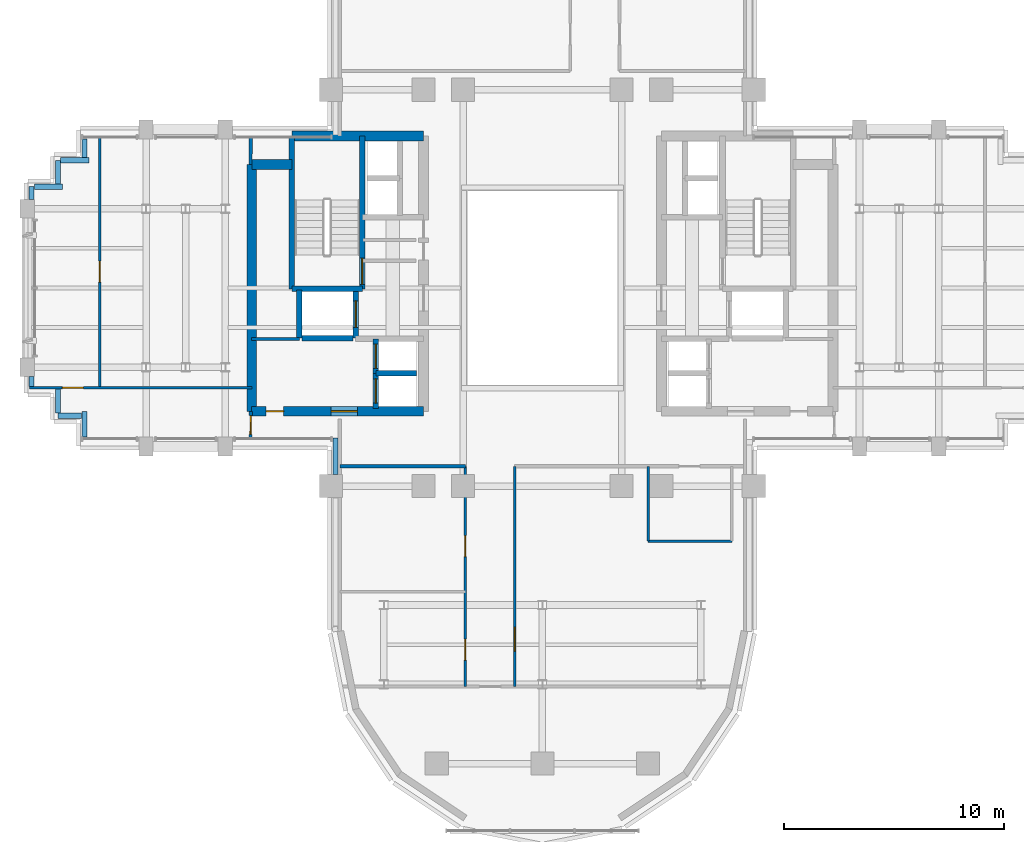
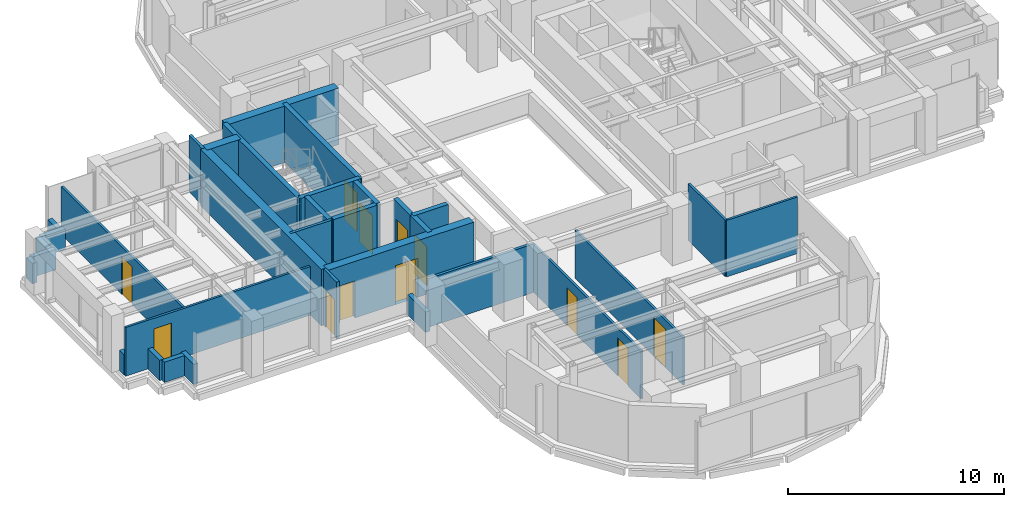
# One storey, part 8 of 14: 33 walls, 12 doors, 12 openings.
"""IFC4 building model written with IfcOpenShell, lengths in metres."""

from ifc_helpers import new_model, si_unit, direction, frame, frame_2d, origin, place, context, subcontext, project, spatial, rectangle, extrude, source, transform, mapped, material, layer, layer_set, type_object, element, fill, save


model = new_model("IFC4")

# Units and contexts
model_context = context("Model", 3, precision=1e-05, world=origin(), true_north=direction((0.0, 1.0)))
body_context = subcontext(model_context, "Body", "Model", "MODEL_VIEW")
ifc_project = project(units=[si_unit("LENGTHUNIT", "METRE"), si_unit("AREAUNIT", "SQUARE_METRE"), si_unit("VOLUMEUNIT", "CUBIC_METRE"), si_unit("PLANEANGLEUNIT", "RADIAN"), si_unit("MASSUNIT", "GRAM", prefix="KILO")], contexts=[model_context])

# Site, building, storey
site_placement = place(None, origin())
site = spatial("IfcSite", under=ifc_project, at=site_placement, CompositionType="ELEMENT")
building_placement = place(site_placement, origin())
building = spatial("IfcBuilding", under=site, at=building_placement, Name="Keilestroom Media Tower", CompositionType="ELEMENT")
storey_placement = place(building_placement, frame((0.0, 0.0, 114.199951171875)))
storey = spatial("IfcBuildingStorey", under=building, at=storey_placement, Name="L30", CompositionType="ELEMENT", Elevation=114.199951171875)

# Wall, openings, doors
ifc_material_1 = material(Name="Gypsum Plasterboard & Steel Stud", Category="steel")
ifc_layer_1 = layer(ifc_material_1, 0.1201171875)
ifc_layer_set_1 = layer_set([ifc_layer_1], Name="Gypsum Plasterboard & Steel Stud")
wall_type_1 = type_object("IfcWallType", Name="Interior-Partition-Wall-120", PredefinedType="PARTITIONING", material=ifc_layer_set_1)
wall_1_placement = place(storey_placement, frame((-3.5, -18.10009765625, 0.0), z_axis=(0.0, 0.0, 1.0), x_axis=(0.0, 1.0, 0.0)))
wall_1 = element("IfcWall", 1, at=wall_1_placement, inside=storey, type_object=wall_type_1, Name="L30 Interior Wall WP-L30-SL-SPW", PredefinedType="PARTITIONING", context=body_context, shape_type="SweptSolid", body=[
    extrude(rectangle(XDim=10.0, YDim=0.1201171875, at=frame_2d((5.0, 0.0))), origin(), (0.0, 0.0, 1.0), 2.699951171875),
])
opening_1_placement = place(wall_1_placement, frame((5.89990234375, 0.0, 0.0)))
opening_1 = element("IfcOpeningElement", 2, at=opening_1_placement, cuts=wall_1, Name="Opening DI-03", PredefinedType="OPENING", context=body_context, shape_type="SweptSolid", body=[
    extrude(rectangle(XDim=0.949951171875, YDim=2.14990234375, at=frame_2d((0.47509765625, 1.074951171875))), frame((0.0, 0.070068359375, 0.0), z_axis=(0.0, -1.0, 0.0), x_axis=(1.0, 0.0, 0.0)), (0.0, 0.0, 1.0), 0.14013671875),
])
opening_2_placement = place(wall_1_placement, frame((1.199951171875, 0.0, 0.0)))
opening_2 = element("IfcOpeningElement", 3, at=opening_2_placement, cuts=wall_1, Name="Opening DI-03", PredefinedType="OPENING", context=body_context, shape_type="SweptSolid", body=[
    extrude(rectangle(XDim=0.949951171875, YDim=2.14990234375, at=frame_2d((0.47509765625, 1.074951171875))), frame((0.0, 0.070068359375, 0.0), z_axis=(0.0, -1.0, 0.0), x_axis=(1.0, 0.0, 0.0)), (0.0, 0.0, 1.0), 0.14013671875),
])
ifc_material_2 = material(Name="Lacquered European Oak Leaf", Category="wood")
door_type_1 = type_object("IfcDoorType", Name="Interior-Room-And-Suite-Door-DI-03", OperationType="NOTDEFINED", PredefinedType="DOOR", material=ifc_material_2)
shared_shape_1 = source(origin(), body_context, "Body", "SweptSolid", [
    extrude(rectangle(XDim=0.949951171875, YDim=2.14990234375, at=frame_2d((0.47509765625, 1.074951171875))), frame((0.0, 0.02490234375, 0.0), z_axis=(0.0, -1.0, 0.0), x_axis=(1.0, 0.0, 0.0)), (0.0, 0.0, 1.0), 0.050048828125),
])
door_1_placement = place(opening_1_placement, origin())
door_1 = element("IfcDoor", 4, at=door_1_placement, inside=storey, type_object=door_type_1, Name="L30 Interior Door DI-L30-DSL-W1", OperationType="SINGLE_SWING_LEFT", OverallHeight=2.14990234375, OverallWidth=0.949951171875, PredefinedType="DOOR", context=body_context, shape_type="MappedRepresentation", body=[
    mapped(shared_shape_1, transform((0.0, 0.0, 0.0), x_axis=(1.0, 0.0, 0.0), y_axis=(0.0, 1.0, 0.0), z_axis=(0.0, 0.0, 1.0), scale=1.0)),
])
fill(opening_1, door_1)
door_2_placement = place(opening_2_placement, origin())
door_2 = element("IfcDoor", 5, at=door_2_placement, inside=storey, type_object=door_type_1, Name="L30 Interior Door DI-L30-DSL-W2", OperationType="SINGLE_SWING_RIGHT", OverallHeight=2.14990234375, OverallWidth=0.949951171875, PredefinedType="DOOR", context=body_context, shape_type="MappedRepresentation", body=[
    mapped(shared_shape_1, transform((0.0, 0.0, 0.0), x_axis=(1.0, 0.0, 0.0), y_axis=(0.0, 1.0, 0.0), z_axis=(0.0, 0.0, 1.0), scale=1.0)),
])
fill(opening_2, door_2)

# Wall, opening, door
wall_2_placement = place(storey_placement, frame((-1.260009765625, -18.10009765625, 0.0), z_axis=(0.0, 0.0, 1.0), x_axis=(0.0, 1.0, 0.0)))
wall_2 = element("IfcWall", 6, at=wall_2_placement, inside=storey, type_object=wall_type_1, Name="L30 Interior Wall WP-L30-SL-SPE", PredefinedType="PARTITIONING", context=body_context, shape_type="SweptSolid", body=[
    extrude(rectangle(XDim=10.0, YDim=0.1201171875, at=frame_2d((5.0, 0.0))), origin(), (0.0, 0.0, 1.0), 2.699951171875),
])
opening_3_placement = place(wall_2_placement, frame((1.60009765625, 0.0, 0.0)))
opening_3 = element("IfcOpeningElement", 7, at=opening_3_placement, cuts=wall_2, Name="Opening DI-04", PredefinedType="OPENING", context=body_context, shape_type="SweptSolid", body=[
    extrude(rectangle(XDim=1.10009765625, YDim=2.199951171875, at=frame_2d((0.550048828125, 1.10009765625))), frame((0.0, 0.070068359375, 0.0), z_axis=(0.0, -1.0, 0.0), x_axis=(1.0, 0.0, 0.0)), (0.0, 0.0, 1.0), 0.14013671875),
])
ifc_material_3 = material(Name="Acoustic Glazed Aluminium Leaf", Category="aluminium")
door_type_2 = type_object("IfcDoorType", Name="Interior-Room-And-Suite-Door-DI-04", OperationType="NOTDEFINED", PredefinedType="DOOR", material=ifc_material_3)
shared_shape_2 = source(origin(), body_context, "Body", "SweptSolid", [
    extrude(rectangle(XDim=1.10009765625, YDim=2.199951171875, at=frame_2d((0.550048828125, 1.10009765625))), frame((0.0, 0.02490234375, 0.0), z_axis=(0.0, -1.0, 0.0), x_axis=(1.0, 0.0, 0.0)), (0.0, 0.0, 1.0), 0.050048828125),
])
door_3_placement = place(opening_3_placement, origin())
door_3 = element("IfcDoor", 8, at=door_3_placement, inside=storey, type_object=door_type_2, Name="L30 Interior Door DI-L30-DSL-E1", OperationType="SINGLE_SWING_RIGHT", OverallHeight=2.199951171875, OverallWidth=1.10009765625, PredefinedType="DOOR", context=body_context, shape_type="MappedRepresentation", body=[
    mapped(shared_shape_2, transform((0.0, 0.0, 0.0), x_axis=(1.0, 0.0, 0.0), y_axis=(0.0, 1.0, 0.0), z_axis=(0.0, 0.0, 1.0), scale=1.0)),
])
fill(opening_3, door_3)

# Walls
wall_3_placement = place(storey_placement, frame((4.800048828125, -11.5, 0.0), z_axis=(0.0, 0.0, 1.0), x_axis=(1.0, 0.0, 0.0)))
element("IfcWall", 9, at=wall_3_placement, inside=storey, type_object=wall_type_1, Name="L30 Interior Wall WP-L30-SL-WC-S", PredefinedType="PARTITIONING", context=body_context, shape_type="SweptSolid", body=[
    extrude(rectangle(XDim=3.800048828125, YDim=0.1201171875, at=frame_2d((1.89990234375, 0.0))), origin(), (0.0, 0.0, 1.0), 3.199951171875),
])
wall_4_placement = place(storey_placement, frame((4.800048828125, -11.5, 0.0), z_axis=(0.0, 0.0, 1.0), x_axis=(0.0, 1.0, 0.0)))
element("IfcWall", 10, at=wall_4_placement, inside=storey, type_object=wall_type_1, Name="L30 Interior Wall WP-L30-SL-WC-W", PredefinedType="PARTITIONING", context=body_context, shape_type="SweptSolid", body=[
    extrude(rectangle(XDim=3.39990234375, YDim=0.1201171875, at=frame_2d((1.699951171875, 0.0))), origin(), (0.0, 0.0, 1.0), 3.199951171875),
])

# Wall, opening, door
wall_5_placement = place(storey_placement, frame((-23.300048828125, -4.530029296875, 0.0), z_axis=(0.0, 0.0, 1.0), x_axis=(1.0, 0.0, 0.0)))
wall_5 = element("IfcWall", 11, at=wall_5_placement, inside=storey, type_object=wall_type_1, Name="L30 Interior Wall WP-L30-WA-CN", PredefinedType="PARTITIONING", context=body_context, shape_type="SweptSolid", body=[
    extrude(rectangle(XDim=10.10009765625, YDim=0.1201171875, at=frame_2d((5.050048828125, 0.0))), origin(), (0.0, 0.0, 1.0), 2.75),
])
opening_4_placement = place(wall_5_placement, frame((1.5, 0.0, 0.0)))
opening_4 = element("IfcOpeningElement", 12, at=opening_4_placement, cuts=wall_5, Name="Opening DI-03", PredefinedType="OPENING", context=body_context, shape_type="SweptSolid", body=[
    extrude(rectangle(XDim=0.949951171875, YDim=2.14990234375, at=frame_2d((0.47509765625, 1.074951171875))), frame((0.0, 0.070068359375, 0.0), z_axis=(0.0, -1.0, 0.0), x_axis=(1.0, 0.0, 0.0)), (0.0, 0.0, 1.0), 0.14013671875),
])
door_4_placement = place(opening_4_placement, origin())
door_4 = element("IfcDoor", 13, at=door_4_placement, inside=storey, type_object=door_type_1, Name="L30 Interior Door DI-L30-DWA-RN1", OperationType="SINGLE_SWING_LEFT", OverallHeight=2.14990234375, OverallWidth=0.949951171875, PredefinedType="DOOR", context=body_context, shape_type="MappedRepresentation", body=[
    mapped(shared_shape_1, transform((0.0, 0.0, 0.0), x_axis=(1.0, 0.0, 0.0), y_axis=(0.0, 1.0, 0.0), z_axis=(0.0, 0.0, 1.0), scale=1.0)),
])
fill(opening_4, door_4)

wall_6_placement = place(storey_placement, frame((-20.10009765625, -4.530029296875, 0.0), z_axis=(0.0, 0.0, 1.0), x_axis=(0.0, 1.0, 0.0)))
wall_6 = element("IfcWall", 14, at=wall_6_placement, inside=storey, type_object=wall_type_1, Name="L30 Interior Wall WP-L30-WA-VM", PredefinedType="PARTITIONING", context=body_context, shape_type="SweptSolid", body=[
    extrude(rectangle(XDim=11.380126953125, YDim=0.1201171875, at=frame_2d((5.68994140625, 0.0))), origin(), (0.0, 0.0, 1.0), 2.699951171875),
])
opening_5_placement = place(wall_6_placement, frame((4.800048828125, 0.0, 0.0)))
opening_5 = element("IfcOpeningElement", 15, at=opening_5_placement, cuts=wall_6, Name="Opening DI-03", PredefinedType="OPENING", context=body_context, shape_type="SweptSolid", body=[
    extrude(rectangle(XDim=0.949951171875, YDim=2.14990234375, at=frame_2d((0.47509765625, 1.074951171875))), frame((0.0, 0.070068359375, 0.0), z_axis=(0.0, -1.0, 0.0), x_axis=(1.0, 0.0, 0.0)), (0.0, 0.0, 1.0), 0.14013671875),
])
door_5_placement = place(opening_5_placement, origin())
door_5 = element("IfcDoor", 16, at=door_5_placement, inside=storey, type_object=door_type_1, Name="L30 Interior Door DI-L30-DWA-RN2", OperationType="SINGLE_SWING_RIGHT", OverallHeight=2.14990234375, OverallWidth=0.949951171875, PredefinedType="DOOR", context=body_context, shape_type="MappedRepresentation", body=[
    mapped(shared_shape_1, transform((0.0, 0.0, 0.0), x_axis=(1.0, 0.0, 0.0), y_axis=(0.0, 1.0, 0.0), z_axis=(0.0, 0.0, 1.0), scale=1.0)),
])
fill(opening_5, door_5)

# Walls
ifc_layer_2 = layer(ifc_material_1, 0.14990234375)
ifc_layer_set_2 = layer_set([ifc_layer_2], Name="Gypsum Plasterboard & Steel Stud")
wall_type_2 = type_object("IfcWallType", Name="Interior-Partition-Wall-150", PredefinedType="PARTITIONING", material=ifc_layer_set_2)
wall_7_placement = place(storey_placement, frame((-13.199951171875, -2.320068359375, 0.0), z_axis=(0.0, 0.0, 1.0), x_axis=(1.0, 0.0, 0.0)))
element("IfcWall", 17, at=wall_7_placement, inside=storey, type_object=wall_type_2, Name="L30 Interior Wall WP-L30-RECLW-N", PredefinedType="PARTITIONING", context=body_context, shape_type="SweptSolid", body=[
    extrude(rectangle(XDim=2.179931640625, YDim=0.14990234375, at=frame_2d((1.08984375, 0.0))), origin(), (0.0, 0.0, 1.0), 3.199951171875),
])
wall_8_placement = place(storey_placement, frame((-9.199951171875, -8.10009765625, 0.0), z_axis=(0.0, 0.0, 1.0), x_axis=(1.0, 0.0, 0.0)))
element("IfcWall", 18, at=wall_8_placement, inside=storey, type_object=wall_type_2, Name="L30 Interior Wall WP-L30-SL-BASE-W", PredefinedType="PARTITIONING", context=body_context, shape_type="SweptSolid", body=[
    extrude(rectangle(XDim=5.699951171875, YDim=0.14990234375, at=frame_2d((2.85009765625, 0.0))), origin(), (0.0, 0.0, 1.0), 2.75),
])
wall_9_placement = place(storey_placement, frame((-13.260009765625, 5.60009765625, 0.0), z_axis=(0.0, 0.0, 1.0), x_axis=(0.016013571389, 0.999871774545, 0.0)))
element("IfcWall", 19, at=wall_9_placement, inside=storey, type_object=wall_type_2, Name="L30 Interior Wall WP-L30-WA-ENTN", PredefinedType="PARTITIONING", context=body_context, shape_type="SweptSolid", body=[
    extrude(rectangle(XDim=1.250244140625, YDim=0.14990234375, at=frame_2d((0.625, 0.0))), origin(), (0.0, 0.0, 1.0), 3.199951171875),
])

# Wall, opening, door
wall_10_placement = place(storey_placement, frame((-13.260009765625, -6.85009765625, 0.0), z_axis=(0.0, 0.0, 1.0), x_axis=(0.016013571389, 0.999871774545, 0.0)))
wall_10 = element("IfcWall", 20, at=wall_10_placement, inside=storey, type_object=wall_type_2, Name="L30 Interior Wall WP-L30-WA-ENTS", PredefinedType="PARTITIONING", context=body_context, shape_type="SweptSolid", body=[
    extrude(rectangle(XDim=1.250244140625, YDim=0.14990234375, at=frame_2d((0.625, 0.0))), origin(), (0.0, 0.0, 1.0), 3.199951171875),
])
opening_6_placement = place(wall_10_placement, frame((0.199951171875, 0.0, 0.0)))
opening_6 = element("IfcOpeningElement", 21, at=opening_6_placement, cuts=wall_10, Name="Opening DI-05", PredefinedType="OPENING", context=body_context, shape_type="SweptSolid", body=[
    extrude(rectangle(XDim=0.85009765625, YDim=2.10009765625, at=frame_2d((0.425048828125, 1.050048828125))), frame((0.0, 0.0849609375, 0.0), z_axis=(0.0, -1.0, 0.0), x_axis=(1.0, 0.0, 0.0)), (0.0, 0.0, 1.0), 0.169921875),
])
ifc_material_4 = material(Name="Moisture-Resistant Oak Leaf", Category="wood")
door_type_3 = type_object("IfcDoorType", Name="Interior-En-Suite-And-Cupboard-Door-DI-05", OperationType="NOTDEFINED", PredefinedType="DOOR", material=ifc_material_4)
shared_shape_3 = source(origin(), body_context, "Body", "SweptSolid", [
    extrude(rectangle(XDim=0.85009765625, YDim=2.10009765625, at=frame_2d((0.425048828125, 1.050048828125))), frame((0.0, 0.02490234375, 0.0), z_axis=(0.0, -1.0, 0.0), x_axis=(1.0, 0.0, 0.0)), (0.0, 0.0, 1.0), 0.050048828125),
])
door_6_placement = place(opening_6_placement, origin())
door_6 = element("IfcDoor", 22, at=door_6_placement, inside=storey, type_object=door_type_3, Name="L30 Interior Door DI-L30-DWA-ENTS", OperationType="SINGLE_SWING_LEFT", OverallHeight=2.10009765625, OverallWidth=0.85009765625, PredefinedType="DOOR", context=body_context, shape_type="MappedRepresentation", body=[
    mapped(shared_shape_3, transform((0.0, 0.0, 0.0), x_axis=(1.0, 0.0, 0.0), y_axis=(0.0, 1.0, 0.0), z_axis=(0.0, 0.0, 1.0), scale=1.0)),
])
fill(opening_6, door_6)

# Walls
ifc_material_5 = material(Name="Concrete C55/67", Category="concrete")
ifc_layer_3 = layer(ifc_material_5, 0.449951171875)
ifc_layer_set_3 = layer_set([ifc_layer_3], Name="Concrete C55/67")
wall_type_3 = type_object("IfcWallType", Name="Reinforced-Concrete-Core-Shear-Wall-450", PredefinedType="SHEAR", material=ifc_layer_set_3)
wall_11_placement = place(storey_placement, frame((-13.199951171875, -5.60009765625, 0.0), z_axis=(0.0, 0.0, 1.0), x_axis=(0.0, 1.0, 0.0)))
element("IfcWall", 23, at=wall_11_placement, inside=storey, type_object=wall_type_3, Name="L30 Core Shear Wall WL-L30-CORE-W-OUT", PredefinedType="SHEAR", context=body_context, shape_type="SweptSolid", body=[
    extrude(rectangle(XDim=11.2001953125, YDim=0.449951171875, at=frame_2d((5.60009765625, 0.0))), origin(), (0.0, 0.0, 1.0), 3.199951171875),
])
wall_12_placement = place(storey_placement, frame((-11.381103515625, 6.89990234375, 0.0), z_axis=(0.0, 0.0, 1.0), x_axis=(1.0, 0.0, 0.0)))
element("IfcWall", 24, at=wall_12_placement, inside=storey, type_object=wall_type_3, Name="L30 Core Shear Wall WL-L30-CORE-W-N", PredefinedType="SHEAR", context=body_context, shape_type="SweptSolid", body=[
    extrude(rectangle(XDim=5.981201171875, YDim=0.449951171875, at=frame_2d((2.99072265625, 0.0))), origin(), (0.0, 0.0, 1.0), 3.199951171875),
])
wall_13_placement = place(storey_placement, frame((-13.199951171875, 5.60009765625, 0.0), z_axis=(0.0, 0.0, 1.0), x_axis=(1.0, 0.0, 0.0)))
element("IfcWall", 25, at=wall_13_placement, inside=storey, type_object=wall_type_3, Name="L30 Core Shear Wall WL-L30-CNW-N", PredefinedType="SHEAR", context=body_context, shape_type="SweptSolid", body=[
    extrude(rectangle(XDim=1.81884765625, YDim=0.449951171875, at=frame_2d((0.909423828125, 0.0))), origin(), (0.0, 0.0, 1.0), 3.199951171875),
])

# Wall, openings, doors
wall_14_placement = place(storey_placement, frame((-13.199951171875, -5.60009765625, 0.0), z_axis=(0.0, 0.0, 1.0), x_axis=(1.0, 0.0, 0.0)))
wall_14 = element("IfcWall", 26, at=wall_14_placement, inside=storey, type_object=wall_type_3, Name="L30 Core Shear Wall WL-L30-CORE-W-S", PredefinedType="SHEAR", context=body_context, shape_type="SweptSolid", body=[
    extrude(rectangle(XDim=7.800048828125, YDim=0.449951171875, at=frame_2d((3.89990234375, 0.0))), origin(), (0.0, 0.0, 1.0), 3.199951171875),
])
opening_7_placement = place(wall_14_placement, frame((3.60009765625, 0.0, 0.0)))
opening_7 = element("IfcOpeningElement", 27, at=opening_7_placement, cuts=wall_14, Name="Opening DI-02", PredefinedType="OPENING", context=body_context, shape_type="SweptSolid", body=[
    extrude(rectangle(XDim=1.199951171875, YDim=2.199951171875, at=frame_2d((0.60009765625, 1.10009765625))), frame((0.0, 0.23486328125, 0.0), z_axis=(0.0, -1.0, 0.0), x_axis=(1.0, 0.0, 0.0)), (0.0, 0.0, 1.0), 0.469970703125),
])
opening_8_placement = place(wall_14_placement, frame((0.64990234375, 0.0, 0.0)))
opening_8 = element("IfcOpeningElement", 28, at=opening_8_placement, cuts=wall_14, Name="Opening DI-06", PredefinedType="OPENING", context=body_context, shape_type="SweptSolid", body=[
    extrude(rectangle(XDim=0.800048828125, YDim=2.10009765625, at=frame_2d((0.39990234375, 1.050048828125))), frame((0.0, 0.23486328125, 0.0), z_axis=(0.0, -1.0, 0.0), x_axis=(1.0, 0.0, 0.0)), (0.0, 0.0, 1.0), 0.469970703125),
])
ifc_material_6 = material(Name="Powder-Coated Steel Fire Leaf", Category="steel")
door_type_4 = type_object("IfcDoorType", Name="Interior-Compartment-Fire-Door-DI-02", OperationType="NOTDEFINED", PredefinedType="DOOR", material=ifc_material_6)
shared_shape_4 = source(origin(), body_context, "Body", "SweptSolid", [
    extrude(rectangle(XDim=1.199951171875, YDim=2.199951171875, at=frame_2d((0.60009765625, 1.10009765625))), frame((0.0, 0.02490234375, 0.0), z_axis=(0.0, -1.0, 0.0), x_axis=(1.0, 0.0, 0.0)), (0.0, 0.0, 1.0), 0.050048828125),
])
door_7_placement = place(opening_7_placement, origin())
door_7 = element("IfcDoor", 29, at=door_7_placement, inside=storey, type_object=door_type_4, Name="L30 W Passenger Lift Lobby Door", OperationType="SINGLE_SWING_LEFT", OverallHeight=2.199951171875, OverallWidth=1.199951171875, PredefinedType="DOOR", context=body_context, shape_type="MappedRepresentation", body=[
    mapped(shared_shape_4, transform((0.0, 0.0, 0.0), x_axis=(1.0, 0.0, 0.0), y_axis=(0.0, 1.0, 0.0), z_axis=(0.0, 0.0, 1.0), scale=1.0)),
])
fill(opening_7, door_7)
ifc_material_7 = material(Name="Powder-Coated Steel Service Leaf", Category="steel")
door_type_5 = type_object("IfcDoorType", Name="Interior-Riser-Access-Door-DI-06", OperationType="NOTDEFINED", PredefinedType="DOOR", material=ifc_material_7)
shared_shape_5 = source(origin(), body_context, "Body", "SweptSolid", [
    extrude(rectangle(XDim=0.800048828125, YDim=2.10009765625, at=frame_2d((0.39990234375, 1.050048828125))), frame((0.0, 0.02490234375, 0.0), z_axis=(0.0, -1.0, 0.0), x_axis=(1.0, 0.0, 0.0)), (0.0, 0.0, 1.0), 0.050048828125),
])
door_8_placement = place(opening_8_placement, origin())
door_8 = element("IfcDoor", 30, at=door_8_placement, inside=storey, type_object=door_type_5, Name="L30 Reclaimed West Core Room Door", OperationType="SINGLE_SWING_LEFT", OverallHeight=2.10009765625, OverallWidth=0.800048828125, PredefinedType="DOOR", context=body_context, shape_type="MappedRepresentation", body=[
    mapped(shared_shape_5, transform((0.0, 0.0, 0.0), x_axis=(1.0, 0.0, 0.0), y_axis=(0.0, 1.0, 0.0), z_axis=(0.0, 0.0, 1.0), scale=1.0)),
])
fill(opening_8, door_8)

# Wall, opening, door
ifc_material_8 = material(Name="Concrete C50/60", Category="concrete")
ifc_layer_4 = layer(ifc_material_8, 0.25)
ifc_layer_set_4 = layer_set([ifc_layer_4], Name="Concrete C50/60")
wall_type_4 = type_object("IfcWallType", Name="Reinforced-Concrete-Shaft-Wall-250", PredefinedType="SOLIDWALL", material=ifc_layer_set_4)
wall_15_placement = place(storey_placement, frame((-8.178955078125, -0.041015625, 0.0), z_axis=(0.0, 0.0, 1.0), x_axis=(0.0, 1.0, 0.0)))
wall_15 = element("IfcWall", 31, at=wall_15_placement, inside=storey, type_object=wall_type_4, Name="L30 Core Shear Wall WL-L30-STW-W-NEAR", PredefinedType="SOLIDWALL", context=body_context, shape_type="SweptSolid", body=[
    extrude(rectangle(XDim=6.94091796875, YDim=0.25, at=frame_2d((3.470458984375, 0.0))), origin(), (0.0, 0.0, 1.0), 3.199951171875),
])
opening_9_placement = place(wall_15_placement, frame((0.199951171875, 0.0, 0.0)))
opening_9 = element("IfcOpeningElement", 32, at=opening_9_placement, cuts=wall_15, Name="Opening DI-01S", PredefinedType="OPENING", context=body_context, shape_type="SweptSolid", body=[
    extrude(rectangle(XDim=1.199951171875, YDim=2.199951171875, at=frame_2d((0.60009765625, 1.10009765625))), frame((0.0, 0.135009765625, 0.0), z_axis=(0.0, -1.0, 0.0), x_axis=(1.0, 0.0, 0.0)), (0.0, 0.0, 1.0), 0.27001953125),
])
door_type_6 = type_object("IfcDoorType", Name="Interior-Stair-And-Core-Fire-Door-DI-01", OperationType="NOTDEFINED", PredefinedType="DOOR", material=ifc_material_6)
door_9_placement = place(opening_9_placement, origin())
door_9 = element("IfcDoor", 33, at=door_9_placement, inside=storey, type_object=door_type_6, Name="L30 Escape Stair ST-1 Fire Door", OperationType="SINGLE_SWING_LEFT", OverallHeight=2.199951171875, OverallWidth=1.199951171875, PredefinedType="DOOR", context=body_context, shape_type="MappedRepresentation", body=[
    mapped(shared_shape_4, transform((0.0, 0.0, 0.0), x_axis=(1.0, 0.0, 0.0), y_axis=(0.0, 1.0, 0.0), z_axis=(0.0, 0.0, 1.0), scale=1.0)),
])
fill(opening_9, door_9)

# Walls
wall_16_placement = place(storey_placement, frame((-11.381103515625, -0.041015625, 0.0), z_axis=(0.0, 0.0, 1.0), x_axis=(0.0, 1.0, 0.0)))
element("IfcWall", 34, at=wall_16_placement, inside=storey, type_object=wall_type_4, Name="L30 Core Shear Wall WL-L30-STW-W-FAR", PredefinedType="SOLIDWALL", context=body_context, shape_type="SweptSolid", body=[
    extrude(rectangle(XDim=6.94091796875, YDim=0.25, at=frame_2d((3.470458984375, 0.0))), origin(), (0.0, 0.0, 1.0), 3.199951171875),
])
wall_17_placement = place(storey_placement, frame((-11.381103515625, -0.041015625, 0.0), z_axis=(0.0, 0.0, 1.0), x_axis=(1.0, 0.0, 0.0)))
element("IfcWall", 35, at=wall_17_placement, inside=storey, type_object=wall_type_4, Name="L30 Core Shear Wall WL-L30-STW-W-S", PredefinedType="SOLIDWALL", context=body_context, shape_type="SweptSolid", body=[
    extrude(rectangle(XDim=3.2021484375, YDim=0.25, at=frame_2d((1.60107421875, 0.0))), origin(), (0.0, 0.0, 1.0), 3.199951171875),
])
wall_18_placement = place(storey_placement, frame((-11.050048828125, -2.280029296875, 0.0), z_axis=(0.0, 0.0, 1.0), x_axis=(0.0, 1.0, 0.0)))
element("IfcWall", 36, at=wall_18_placement, inside=storey, type_object=wall_type_4, Name="L30 Core Shear Wall WL-L30-LSH-FFL-1-W", PredefinedType="SOLIDWALL", context=body_context, shape_type="SweptSolid", body=[
    extrude(rectangle(XDim=2.179931640625, YDim=0.25, at=frame_2d((1.08984375, 0.0))), origin(), (0.0, 0.0, 1.0), 3.199951171875),
])

# Wall, opening, door
wall_19_placement = place(storey_placement, frame((-8.47998046875, -2.280029296875, 0.0), z_axis=(0.0, 0.0, 1.0), x_axis=(0.0, 1.0, 0.0)))
wall_19 = element("IfcWall", 37, at=wall_19_placement, inside=storey, type_object=wall_type_4, Name="L30 Core Shear Wall WL-L30-LSH-FFL-1-E", PredefinedType="SOLIDWALL", context=body_context, shape_type="SweptSolid", body=[
    extrude(rectangle(XDim=2.179931640625, YDim=0.25, at=frame_2d((1.08984375, 0.0))), origin(), (0.0, 0.0, 1.0), 3.199951171875),
])
opening_10_placement = place(wall_19_placement, frame((0.489990234375, 0.0, 0.0)))
opening_10 = element("IfcOpeningElement", 38, at=opening_10_placement, cuts=wall_19, Name="Opening LD-02", PredefinedType="OPENING", context=body_context, shape_type="SweptSolid", body=[
    extrude(rectangle(XDim=1.199951171875, YDim=2.199951171875, at=frame_2d((0.60009765625, 1.10009765625))), frame((0.0, 0.135009765625, 0.0), z_axis=(0.0, -1.0, 0.0), x_axis=(1.0, 0.0, 0.0)), (0.0, 0.0, 1.0), 0.27001953125),
])
ifc_material_9 = material(Name="Brushed Stainless Steel Sliding Leaf", Category="steel")
door_type_7 = type_object("IfcDoorType", Name="Lift-Landing-Sliding-Door-LD-02", OperationType="SLIDING_TO_RIGHT", PredefinedType="DOOR", material=ifc_material_9)
door_10_placement = place(opening_10_placement, origin())
door_10 = element("IfcDoor", 39, at=door_10_placement, inside=storey, type_object=door_type_7, Name="L30 Lift FFL-1 Landing Sliding Door", OperationType="SLIDING_TO_RIGHT", OverallHeight=2.199951171875, OverallWidth=1.199951171875, PredefinedType="DOOR", context=body_context, shape_type="MappedRepresentation", body=[
    mapped(shared_shape_4, transform((0.0, 0.0, 0.0), x_axis=(1.0, 0.0, 0.0), y_axis=(0.0, 1.0, 0.0), z_axis=(0.0, 0.0, 1.0), scale=1.0)),
])
fill(opening_10, door_10)

# Wall
wall_20_placement = place(storey_placement, frame((-10.9208984375, -2.280029296875, 0.0), z_axis=(0.0, 0.0, 1.0), x_axis=(1.0, 0.0, 0.0)))
element("IfcWall", 40, at=wall_20_placement, inside=storey, type_object=wall_type_4, Name="L30 Core Shear Wall WL-L30-LSH-FFL-1-S", PredefinedType="SOLIDWALL", context=body_context, shape_type="SweptSolid", body=[
    extrude(rectangle(XDim=2.31201171875, YDim=0.25, at=frame_2d((1.156005859375, 0.0))), origin(), (0.0, 0.0, 1.0), 3.199951171875),
])

# Wall, opening, door
wall_21_placement = place(storey_placement, frame((-7.56005859375, -5.47998046875, 0.0), z_axis=(0.0, 0.0, 1.0), x_axis=(0.0, 1.0, 0.0)))
wall_21 = element("IfcWall", 41, at=wall_21_placement, inside=storey, type_object=wall_type_4, Name="L30 Core Shear Wall WL-L30-LSH-PL-M1-W", PredefinedType="SOLIDWALL", context=body_context, shape_type="SweptSolid", body=[
    extrude(rectangle(XDim=1.60009765625, YDim=0.25, at=frame_2d((0.800048828125, 0.0))), origin(), (0.0, 0.0, 1.0), 3.199951171875),
])
opening_11_placement = place(wall_21_placement, frame((0.25, 0.0, 0.0)))
opening_11 = element("IfcOpeningElement", 42, at=opening_11_placement, cuts=wall_21, Name="Opening LD-01", PredefinedType="OPENING", context=body_context, shape_type="SweptSolid", body=[
    extrude(rectangle(XDim=1.10009765625, YDim=2.199951171875, at=frame_2d((0.550048828125, 1.10009765625))), frame((0.0, 0.135009765625, 0.0), z_axis=(0.0, -1.0, 0.0), x_axis=(1.0, 0.0, 0.0)), (0.0, 0.0, 1.0), 0.27001953125),
])
door_type_8 = type_object("IfcDoorType", Name="Lift-Landing-Sliding-Door-LD-01", OperationType="SLIDING_TO_LEFT", PredefinedType="DOOR", material=ifc_material_9)
door_11_placement = place(opening_11_placement, origin())
door_11 = element("IfcDoor", 43, at=door_11_placement, inside=storey, type_object=door_type_8, Name="L30 Lift PL-M1 Landing Sliding Door", OperationType="SLIDING_TO_LEFT", OverallHeight=2.199951171875, OverallWidth=1.10009765625, PredefinedType="DOOR", context=body_context, shape_type="MappedRepresentation", body=[
    mapped(shared_shape_2, transform((0.0, 0.0, 0.0), x_axis=(1.0, 0.0, 0.0), y_axis=(0.0, 1.0, 0.0), z_axis=(0.0, 0.0, 1.0), scale=1.0)),
])
fill(opening_11, door_11)

# Wall
wall_22_placement = place(storey_placement, frame((-7.56005859375, -3.8798828125, 0.0), z_axis=(0.0, 0.0, 1.0), x_axis=(1.0, 0.0, 0.0)))
element("IfcWall", 44, at=wall_22_placement, inside=storey, type_object=wall_type_4, Name="L30 Core Shear Wall WL-L30-LSH-PL-M1-N", PredefinedType="SOLIDWALL", context=body_context, shape_type="SweptSolid", body=[
    extrude(rectangle(XDim=1.840087890625, YDim=0.25, at=frame_2d((0.919921875, 0.0))), origin(), (0.0, 0.0, 1.0), 3.199951171875),
])

# Wall, opening, door
wall_23_placement = place(storey_placement, frame((-7.56005859375, -3.8798828125, 0.0), z_axis=(0.0, 0.0, 1.0), x_axis=(0.0, 1.0, 0.0)))
wall_23 = element("IfcWall", 45, at=wall_23_placement, inside=storey, type_object=wall_type_4, Name="L30 Core Shear Wall WL-L30-LSH-PL-M2-W", PredefinedType="SOLIDWALL", context=body_context, shape_type="SweptSolid", body=[
    extrude(rectangle(XDim=1.559814453125, YDim=0.25, at=frame_2d((0.77978515625, 0.0))), origin(), (0.0, 0.0, 1.0), 3.199951171875),
])
opening_12_placement = place(wall_23_placement, frame((0.22998046875, 0.0, 0.0)))
opening_12 = element("IfcOpeningElement", 46, at=opening_12_placement, cuts=wall_23, Name="Opening LD-01", PredefinedType="OPENING", context=body_context, shape_type="SweptSolid", body=[
    extrude(rectangle(XDim=1.10009765625, YDim=2.199951171875, at=frame_2d((0.550048828125, 1.10009765625))), frame((0.0, 0.135009765625, 0.0), z_axis=(0.0, -1.0, 0.0), x_axis=(1.0, 0.0, 0.0)), (0.0, 0.0, 1.0), 0.27001953125),
])
door_12_placement = place(opening_12_placement, origin())
door_12 = element("IfcDoor", 47, at=door_12_placement, inside=storey, type_object=door_type_8, Name="L30 Lift PL-M2 Landing Sliding Door", OperationType="SLIDING_TO_LEFT", OverallHeight=2.199951171875, OverallWidth=1.10009765625, PredefinedType="DOOR", context=body_context, shape_type="MappedRepresentation", body=[
    mapped(shared_shape_2, transform((0.0, 0.0, 0.0), x_axis=(1.0, 0.0, 0.0), y_axis=(0.0, 1.0, 0.0), z_axis=(0.0, 0.0, 1.0), scale=1.0)),
])
fill(opening_12, door_12)

# Walls
ifc_material_10 = material(Name="Precast concrete C40/50", Category="concrete")
ifc_layer_5 = layer(ifc_material_10, 0.239990234375)
ifc_layer_set_5 = layer_set([ifc_layer_5], Name="Precast concrete C40/50")
wall_type_5 = type_object("IfcWallType", Name="Roof-And-Terrace-Parapet-Wall-240", PredefinedType="PARAPET", material=ifc_layer_set_5)
wall_24_placement = place(storey_placement, frame((-9.39990234375, -8.471923828125, 0.0), z_axis=(0.0, 0.0, 1.0), x_axis=(0.0, 1.0, 0.0)))
element("IfcWall", 48, at=wall_24_placement, inside=storey, type_object=wall_type_5, Name="L30 Perimeter Edge Parapet Wall 09", PredefinedType="PARAPET", context=body_context, shape_type="SweptSolid", body=[
    extrude(rectangle(XDim=1.653076171875, YDim=0.239990234375, at=frame_2d((0.82666015625, 0.0))), origin(), (0.0, 0.0, 1.0), 1.150146484375),
])
wall_25_placement = place(storey_placement, frame((-20.800048828125, -6.757080078125, 0.0), z_axis=(0.0, 0.0, 1.0), x_axis=(0.0, 1.0, 0.0)))
element("IfcWall", 49, at=wall_25_placement, inside=storey, type_object=wall_type_5, Name="L30 Perimeter Edge Parapet Wall 10", PredefinedType="PARAPET", context=body_context, shape_type="SweptSolid", body=[
    extrude(rectangle(XDim=1.156982421875, YDim=0.239990234375, at=frame_2d((0.57861328125, 0.0))), origin(), (0.0, 0.0, 1.0), 1.150146484375),
])
wall_26_placement = place(storey_placement, frame((-20.923095703125, -5.800048828125, 0.0), z_axis=(0.0, 0.0, 1.0), x_axis=(-1.0, 0.0, 0.0)))
element("IfcWall", 50, at=wall_26_placement, inside=storey, type_object=wall_type_5, Name="L30 Perimeter Edge Parapet Wall 11", PredefinedType="PARAPET", context=body_context, shape_type="SweptSolid", body=[
    extrude(rectangle(XDim=1.076904296875, YDim=0.239990234375, at=frame_2d((0.53857421875, 0.0))), origin(), (0.0, 0.0, 1.0), 1.150146484375),
])
wall_27_placement = place(storey_placement, frame((-22.0, -5.677001953125, 0.0), z_axis=(0.0, 0.0, 1.0), x_axis=(0.0, 1.0, 0.0)))
element("IfcWall", 51, at=wall_27_placement, inside=storey, type_object=wall_type_5, Name="L30 Perimeter Edge Parapet Wall 12", PredefinedType="PARAPET", context=body_context, shape_type="SweptSolid", body=[
    extrude(rectangle(XDim=1.083984375, YDim=0.239990234375, at=frame_2d((0.5419921875, 0.0))), origin(), (0.0, 0.0, 1.0), 1.150146484375),
])
wall_28_placement = place(storey_placement, frame((-23.199951171875, -4.467041015625, 0.0), z_axis=(0.0, 0.0, 1.0), x_axis=(0.0, 1.0, 0.0)))
element("IfcWall", 52, at=wall_28_placement, inside=storey, type_object=wall_type_5, Name="L30 Perimeter Edge Parapet Wall 13", PredefinedType="PARAPET", context=body_context, shape_type="SweptSolid", body=[
    extrude(rectangle(XDim=0.43896484375, YDim=0.239990234375, at=frame_2d((0.219482421875, 0.0))), origin(), (0.0, 0.0, 1.0), 1.150146484375),
])
wall_29_placement = place(storey_placement, frame((-23.199951171875, 4.028076171875, 0.0), z_axis=(0.0, 0.0, 1.0), x_axis=(0.0, 1.0, 0.0)))
element("IfcWall", 53, at=wall_29_placement, inside=storey, type_object=wall_type_5, Name="L30 Perimeter Edge Parapet Wall 14", PredefinedType="PARAPET", context=body_context, shape_type="SweptSolid", body=[
    extrude(rectangle(XDim=0.572021484375, YDim=0.239990234375, at=frame_2d((0.2861328125, 0.0))), origin(), (0.0, 0.0, 1.0), 1.150146484375),
])
wall_30_placement = place(storey_placement, frame((-23.076904296875, 4.60009765625, 0.0), z_axis=(0.0, 0.0, 1.0), x_axis=(1.0, 0.0, 0.0)))
element("IfcWall", 54, at=wall_30_placement, inside=storey, type_object=wall_type_5, Name="L30 Perimeter Edge Parapet Wall 15", PredefinedType="PARAPET", context=body_context, shape_type="SweptSolid", body=[
    extrude(rectangle(XDim=1.27685546875, YDim=0.239990234375, at=frame_2d((0.638427734375, 0.0))), origin(), (0.0, 0.0, 1.0), 1.150146484375),
])
wall_31_placement = place(storey_placement, frame((-22.0, 4.722900390625, 0.0), z_axis=(0.0, 0.0, 1.0), x_axis=(0.0, 1.0, 0.0)))
element("IfcWall", 55, at=wall_31_placement, inside=storey, type_object=wall_type_5, Name="L30 Perimeter Edge Parapet Wall 16", PredefinedType="PARAPET", context=body_context, shape_type="SweptSolid", body=[
    extrude(rectangle(XDim=1.0771484375, YDim=0.239990234375, at=frame_2d((0.53857421875, 0.0))), origin(), (0.0, 0.0, 1.0), 1.150146484375),
])
wall_32_placement = place(storey_placement, frame((-21.876953125, 5.800048828125, 0.0), z_axis=(0.0, 0.0, 1.0), x_axis=(1.0, 0.0, 0.0)))
element("IfcWall", 56, at=wall_32_placement, inside=storey, type_object=wall_type_5, Name="L30 Perimeter Edge Parapet Wall 17", PredefinedType="PARAPET", context=body_context, shape_type="SweptSolid", body=[
    extrude(rectangle(XDim=1.27685546875, YDim=0.239990234375, at=frame_2d((0.638427734375, 0.0))), origin(), (0.0, 0.0, 1.0), 1.150146484375),
])
wall_33_placement = place(storey_placement, frame((-20.800048828125, 5.923095703125, 0.0), z_axis=(0.0, 0.0, 1.0), x_axis=(0.0, 1.0, 0.0)))
element("IfcWall", 57, at=wall_33_placement, inside=storey, type_object=wall_type_5, Name="L30 Perimeter Edge Parapet Wall 18", PredefinedType="PARAPET", context=body_context, shape_type="SweptSolid", body=[
    extrude(rectangle(XDim=0.833984375, YDim=0.239990234375, at=frame_2d((0.4169921875, 0.0))), origin(), (0.0, 0.0, 1.0), 1.150146484375),
])

save(model, "model.ifc")
